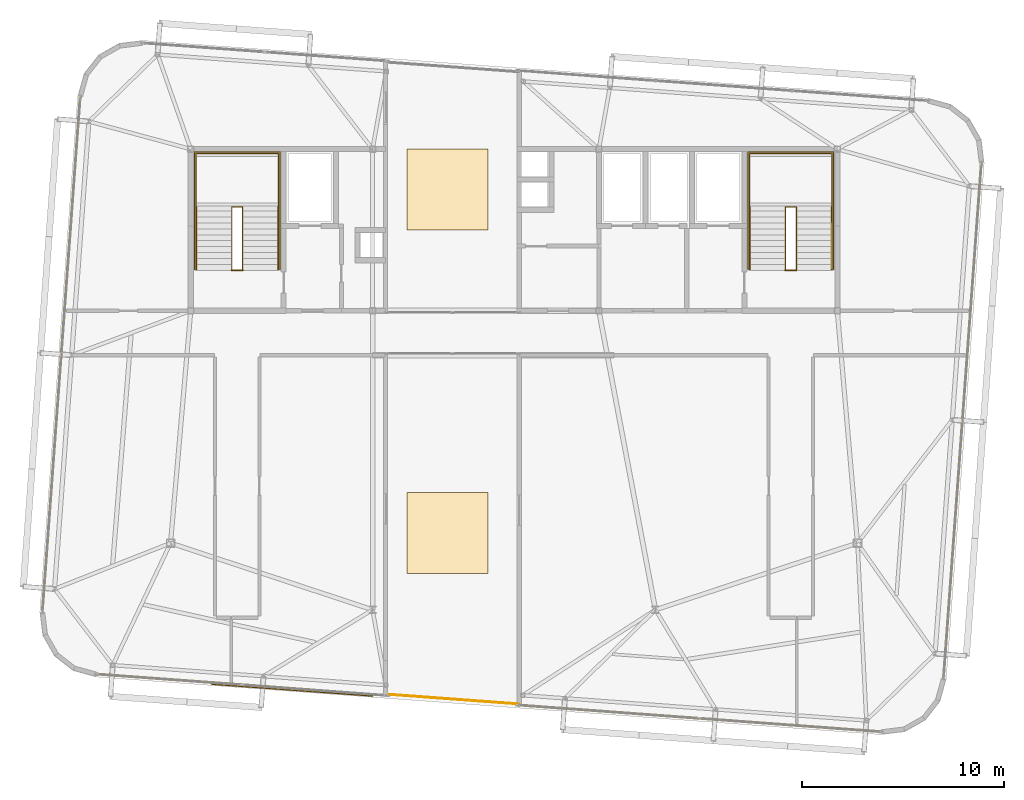
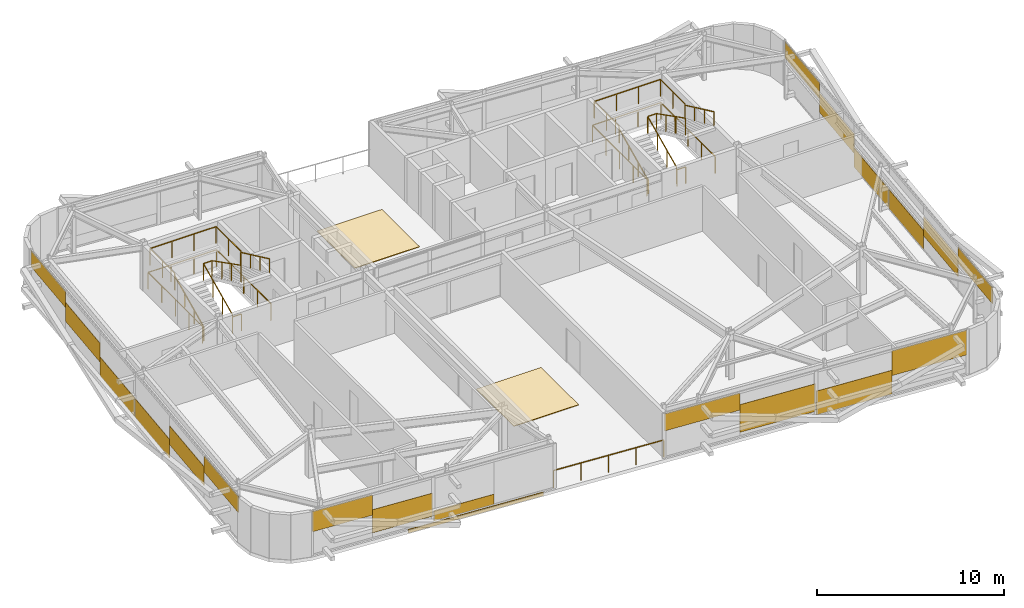
# One storey, part 35 of 36: 22 coverings, 13 railings.
"""IFC4 building model written with IfcOpenShell, lengths in metres."""

from ifc_helpers import new_model, si_unit, direction, frame, origin, origin_2d, place, context, subcontext, project, spatial, rectangle, extrude, source, transform, mapped, material, layer, layer_set, type_object, element, save


model = new_model("IFC4")

# Units and contexts
model_context = context("Model", 3, precision=1e-05, world=origin(), true_north=direction((0.0, 1.0)))
body_context = subcontext(model_context, "Body", "Model", "MODEL_VIEW")
ifc_project = project(units=[si_unit("LENGTHUNIT", "METRE"), si_unit("AREAUNIT", "SQUARE_METRE"), si_unit("VOLUMEUNIT", "CUBIC_METRE"), si_unit("PLANEANGLEUNIT", "RADIAN"), si_unit("MASSUNIT", "GRAM", prefix="KILO")], contexts=[model_context])

# Site, building, storey
site_placement = place(None, origin())
site = spatial("IfcSite", under=ifc_project, at=site_placement, CompositionType="ELEMENT")
building_placement = place(site_placement, origin())
building = spatial("IfcBuilding", under=site, at=building_placement, Name="Taldren Reach Tower", CompositionType="ELEMENT")
storey_placement = place(building_placement, frame((0.0, 0.0, 227.14990234375)))
storey = spatial("IfcBuildingStorey", under=building, at=storey_placement, Name="L69", CompositionType="ELEMENT", Elevation=227.14990234375)

# Railings
ifc_material_1 = material(Name="Steel Gr 350 (C350L0)", Category="steel")
ifc_layer_1 = layer(ifc_material_1, 0.050048828125)
ifc_layer_set_1 = layer_set([ifc_layer_1], Name="Steel Gr 350 (C350L0)")
railing_type_1 = type_object("IfcRailingType", Name="RL-STAIR-GR", PredefinedType="GUARDRAIL", material=ifc_layer_set_1)
railing_1_placement = place(storey_placement, frame((19.260009765625, 29.135009765625, 1.5751953125)))
element("IfcRailing", 1, at=railing_1_placement, inside=storey, type_object=railing_type_1, Name="Stair half-landing perimeter guard ST1-L69", PredefinedType="GUARDRAIL", context=body_context, shape_type="SweptSolid", body=[
    extrude(rectangle(XDim=0.047852, YDim=0.047852, at=origin_2d()), frame((0.0, 0.0, 1.09619140625), z_axis=(0.0, 1.0, 0.0), x_axis=(-1.0, 0.0, 0.0)), (0.0, 0.0, 1.0), 2.64501953125),
    extrude(rectangle(XDim=0.047852, YDim=0.047852, at=origin_2d()), frame((0.0, 2.64501953125, 1.09619140625), z_axis=(1.0, 0.0, 0.0), x_axis=(0.0, 1.0, 0.0)), (0.0, 0.0, 1.0), 4.080078125),
    extrude(rectangle(XDim=0.047852, YDim=0.047852, at=origin_2d()), frame((4.080078125, 2.64501953125, 1.09619140625), z_axis=(0.0, -1.0, 0.0), x_axis=(1.0, 0.0, 0.0)), (0.0, 0.0, 1.0), 2.64501953125),
    extrude(rectangle(XDim=0.041992, YDim=0.041992, at=origin_2d()), origin(), (0.0, 0.0, 1.0), 1.072021484375),
    extrude(rectangle(XDim=0.041992, YDim=0.041992, at=origin_2d()), frame((0.0, 1.322509765625, 0.0)), (0.0, 0.0, 1.0), 1.072021484375),
    extrude(rectangle(XDim=0.041992, YDim=0.041992, at=origin_2d()), frame((0.0, 2.64501953125, 0.0)), (0.0, 0.0, 1.0), 1.072021484375),
    extrude(rectangle(XDim=0.041992, YDim=0.041992, at=origin_2d()), frame((1.360107421875, 2.64501953125, 0.0)), (0.0, 0.0, 1.0), 1.072021484375),
    extrude(rectangle(XDim=0.041992, YDim=0.041992, at=origin_2d()), frame((2.719970703125, 2.64501953125, 0.0)), (0.0, 0.0, 1.0), 1.072021484375),
    extrude(rectangle(XDim=0.041992, YDim=0.041992, at=origin_2d()), frame((4.080078125, 2.64501953125, 0.0)), (0.0, 0.0, 1.0), 1.072021484375),
    extrude(rectangle(XDim=0.041992, YDim=0.041992, at=origin_2d()), frame((4.080078125, 1.322509765625, 0.0)), (0.0, 0.0, 1.0), 1.072021484375),
    extrude(rectangle(XDim=0.041992, YDim=0.041992, at=origin_2d()), frame((4.080078125, 0.0, 0.0)), (0.0, 0.0, 1.0), 1.072021484375),
])
railing_2_placement = place(storey_placement, frame((21.030029296875, 26.050048828125, 0.13134765625)))
element("IfcRailing", 2, at=railing_2_placement, inside=storey, type_object=railing_type_1, Name="Stairwell inner guard ST1-L69", PredefinedType="GUARDRAIL", context=body_context, shape_type="SweptSolid", body=[
    extrude(rectangle(XDim=0.047852, YDim=0.047852, at=origin_2d()), frame((0.0, 0.0, 1.09619140625), z_axis=(0.0, 0.905710134349, 0.423897573167), x_axis=(-1.0, 0.0, 0.0)), (0.0, 0.0, 1.0), 3.406005859375),
    extrude(rectangle(XDim=0.047852, YDim=0.047852, at=origin_2d()), frame((0.0, 3.0849609375, 2.5400390625), z_axis=(1.0, 0.0, 0.0), x_axis=(0.0, 1.0, 0.0)), (0.0, 0.0, 1.0), 0.5400390625),
    extrude(rectangle(XDim=0.047852, YDim=0.047852, at=origin_2d()), frame((0.5400390625, 3.0849609375, 2.5400390625), z_axis=(0.0, -0.890645957773, 0.45469745755), x_axis=(1.0, 0.0, 0.0)), (0.0, 0.0, 1.0), 3.463623046875),
    extrude(rectangle(XDim=0.041992, YDim=0.041992, at=origin_2d()), origin(), (0.0, 0.0, 1.0), 1.072021484375),
    extrude(rectangle(XDim=0.041992, YDim=0.041992, at=origin_2d()), frame((0.0, 1.0283203125, 0.481201171875)), (0.0, 0.0, 1.0), 1.072021484375),
    extrude(rectangle(XDim=0.041992, YDim=0.041992, at=origin_2d()), frame((0.0, 2.056640625, 0.962646484375)), (0.0, 0.0, 1.0), 1.072021484375),
    extrude(rectangle(XDim=0.041992, YDim=0.041992, at=origin_2d()), frame((0.0, 3.0849609375, 1.44384765625)), (0.0, 0.0, 1.0), 1.072021484375),
    extrude(rectangle(XDim=0.041992, YDim=0.041992, at=origin_2d()), frame((0.5400390625, 3.0849609375, 1.44384765625)), (0.0, 0.0, 1.0), 1.072021484375),
    extrude(rectangle(XDim=0.041992, YDim=0.041992, at=origin_2d()), frame((0.5400390625, 2.056640625, 1.96875)), (0.0, 0.0, 1.0), 1.072021484375),
    extrude(rectangle(XDim=0.041992, YDim=0.041992, at=origin_2d()), frame((0.5400390625, 1.0283203125, 2.493896484375)), (0.0, 0.0, 1.0), 1.072021484375),
    extrude(rectangle(XDim=0.041992, YDim=0.041992, at=origin_2d()), frame((0.5400390625, 0.0, 3.018798828125)), (0.0, 0.0, 1.0), 1.072021484375),
])
railing_3_placement = place(storey_placement, frame((21.030029296875, 26.010009765625, 0.0)))
element("IfcRailing", 3, at=railing_3_placement, inside=storey, type_object=railing_type_1, Name="Stairwell landing slot guard ST1-L69", PredefinedType="GUARDRAIL", context=body_context, shape_type="SweptSolid", body=[
    extrude(rectangle(XDim=0.047852, YDim=0.047852, at=origin_2d()), frame((0.0, 0.0, 1.09619140625), z_axis=(1.0, 0.0, 0.0), x_axis=(0.0, 1.0, 0.0)), (0.0, 0.0, 1.0), 0.5400390625),
    extrude(rectangle(XDim=0.041992, YDim=0.041992, at=origin_2d()), origin(), (0.0, 0.0, 1.0), 1.072021484375),
    extrude(rectangle(XDim=0.041992, YDim=0.041992, at=origin_2d()), frame((0.5400390625, 0.0, 0.0)), (0.0, 0.0, 1.0), 1.072021484375),
])
railing_4_placement = place(storey_placement, frame((19.18994140625, 26.050048828125, 0.0)))
element("IfcRailing", 4, at=railing_4_placement, inside=storey, type_object=railing_type_1, Name="Stairwell floor opening guard ST1-L69", PredefinedType="GUARDRAIL", context=body_context, shape_type="SweptSolid", body=[
    extrude(rectangle(XDim=0.047852, YDim=0.047852, at=origin_2d()), frame((0.0, 0.0, 1.09619140625), z_axis=(0.0, 1.0, 0.0), x_axis=(-1.0, 0.0, 0.0)), (0.0, 0.0, 1.0), 5.800048828125),
    extrude(rectangle(XDim=0.047852, YDim=0.047852, at=origin_2d()), frame((0.0, 5.800048828125, 1.09619140625), z_axis=(1.0, 0.0, 0.0), x_axis=(0.0, 1.0, 0.0)), (0.0, 0.0, 1.0), 4.219970703125),
    extrude(rectangle(XDim=0.047852, YDim=0.047852, at=origin_2d()), frame((4.219970703125, 5.800048828125, 1.09619140625), z_axis=(0.0, -1.0, 0.0), x_axis=(1.0, 0.0, 0.0)), (0.0, 0.0, 1.0), 5.800048828125),
    extrude(rectangle(XDim=0.041992, YDim=0.041992, at=origin_2d()), origin(), (0.0, 0.0, 1.0), 1.072021484375),
    extrude(rectangle(XDim=0.041992, YDim=0.041992, at=origin_2d()), frame((0.0, 1.449951171875, 0.0)), (0.0, 0.0, 1.0), 1.072021484375),
    extrude(rectangle(XDim=0.041992, YDim=0.041992, at=origin_2d()), frame((0.0, 2.89990234375, 0.0)), (0.0, 0.0, 1.0), 1.072021484375),
    extrude(rectangle(XDim=0.041992, YDim=0.041992, at=origin_2d()), frame((0.0, 4.35009765625, 0.0)), (0.0, 0.0, 1.0), 1.072021484375),
    extrude(rectangle(XDim=0.041992, YDim=0.041992, at=origin_2d()), frame((0.0, 5.800048828125, 0.0)), (0.0, 0.0, 1.0), 1.072021484375),
    extrude(rectangle(XDim=0.041992, YDim=0.041992, at=origin_2d()), frame((1.40673828125, 5.800048828125, 0.0)), (0.0, 0.0, 1.0), 1.072021484375),
    extrude(rectangle(XDim=0.041992, YDim=0.041992, at=origin_2d()), frame((2.813232421875, 5.800048828125, 0.0)), (0.0, 0.0, 1.0), 1.072021484375),
    extrude(rectangle(XDim=0.041992, YDim=0.041992, at=origin_2d()), frame((4.219970703125, 5.800048828125, 0.0)), (0.0, 0.0, 1.0), 1.072021484375),
    extrude(rectangle(XDim=0.041992, YDim=0.041992, at=origin_2d()), frame((4.219970703125, 4.35009765625, 0.0)), (0.0, 0.0, 1.0), 1.072021484375),
    extrude(rectangle(XDim=0.041992, YDim=0.041992, at=origin_2d()), frame((4.219970703125, 2.89990234375, 0.0)), (0.0, 0.0, 1.0), 1.072021484375),
    extrude(rectangle(XDim=0.041992, YDim=0.041992, at=origin_2d()), frame((4.219970703125, 1.449951171875, 0.0)), (0.0, 0.0, 1.0), 1.072021484375),
    extrude(rectangle(XDim=0.041992, YDim=0.041992, at=origin_2d()), frame((4.219970703125, 0.0, 0.0)), (0.0, 0.0, 1.0), 1.072021484375),
])
railing_5_placement = place(storey_placement, frame((46.659912109375, 29.135009765625, 1.5751953125)))
element("IfcRailing", 5, at=railing_5_placement, inside=storey, type_object=railing_type_1, Name="Stair half-landing perimeter guard ST2-L69", PredefinedType="GUARDRAIL", context=body_context, shape_type="SweptSolid", body=[
    extrude(rectangle(XDim=0.047852, YDim=0.047852, at=origin_2d()), frame((0.0, 0.0, 1.09619140625), z_axis=(0.0, 1.0, 0.0), x_axis=(-1.0, 0.0, 0.0)), (0.0, 0.0, 1.0), 2.64501953125),
    extrude(rectangle(XDim=0.047852, YDim=0.047852, at=origin_2d()), frame((0.0, 2.64501953125, 1.09619140625), z_axis=(1.0, 0.0, 0.0), x_axis=(0.0, 1.0, 0.0)), (0.0, 0.0, 1.0), 4.080078125),
    extrude(rectangle(XDim=0.047852, YDim=0.047852, at=origin_2d()), frame((4.080078125, 2.64501953125, 1.09619140625), z_axis=(0.0, -1.0, 0.0), x_axis=(1.0, 0.0, 0.0)), (0.0, 0.0, 1.0), 2.64501953125),
    extrude(rectangle(XDim=0.041992, YDim=0.041992, at=origin_2d()), origin(), (0.0, 0.0, 1.0), 1.072021484375),
    extrude(rectangle(XDim=0.041992, YDim=0.041992, at=origin_2d()), frame((0.0, 1.322509765625, 0.0)), (0.0, 0.0, 1.0), 1.072021484375),
    extrude(rectangle(XDim=0.041992, YDim=0.041992, at=origin_2d()), frame((0.0, 2.64501953125, 0.0)), (0.0, 0.0, 1.0), 1.072021484375),
    extrude(rectangle(XDim=0.041992, YDim=0.041992, at=origin_2d()), frame((1.360107421875, 2.64501953125, 0.0)), (0.0, 0.0, 1.0), 1.072021484375),
    extrude(rectangle(XDim=0.041992, YDim=0.041992, at=origin_2d()), frame((2.719970703125, 2.64501953125, 0.0)), (0.0, 0.0, 1.0), 1.072021484375),
    extrude(rectangle(XDim=0.041992, YDim=0.041992, at=origin_2d()), frame((4.080078125, 2.64501953125, 0.0)), (0.0, 0.0, 1.0), 1.072021484375),
    extrude(rectangle(XDim=0.041992, YDim=0.041992, at=origin_2d()), frame((4.080078125, 1.322509765625, 0.0)), (0.0, 0.0, 1.0), 1.072021484375),
    extrude(rectangle(XDim=0.041992, YDim=0.041992, at=origin_2d()), frame((4.080078125, 0.0, 0.0)), (0.0, 0.0, 1.0), 1.072021484375),
])
railing_6_placement = place(storey_placement, frame((48.429931640625, 26.050048828125, 0.13134765625)))
element("IfcRailing", 6, at=railing_6_placement, inside=storey, type_object=railing_type_1, Name="Stairwell inner guard ST2-L69", PredefinedType="GUARDRAIL", context=body_context, shape_type="SweptSolid", body=[
    extrude(rectangle(XDim=0.047852, YDim=0.047852, at=origin_2d()), frame((0.0, 0.0, 1.09619140625), z_axis=(0.0, 0.905710134349, 0.423897573167), x_axis=(-1.0, 0.0, 0.0)), (0.0, 0.0, 1.0), 3.406005859375),
    extrude(rectangle(XDim=0.047852, YDim=0.047852, at=origin_2d()), frame((0.0, 3.0849609375, 2.5400390625), z_axis=(1.0, 0.0, 0.0), x_axis=(0.0, 1.0, 0.0)), (0.0, 0.0, 1.0), 0.5400390625),
    extrude(rectangle(XDim=0.047852, YDim=0.047852, at=origin_2d()), frame((0.5400390625, 3.0849609375, 2.5400390625), z_axis=(0.0, -0.890645957773, 0.45469745755), x_axis=(1.0, 0.0, 0.0)), (0.0, 0.0, 1.0), 3.463623046875),
    extrude(rectangle(XDim=0.041992, YDim=0.041992, at=origin_2d()), origin(), (0.0, 0.0, 1.0), 1.072021484375),
    extrude(rectangle(XDim=0.041992, YDim=0.041992, at=origin_2d()), frame((0.0, 1.0283203125, 0.481201171875)), (0.0, 0.0, 1.0), 1.072021484375),
    extrude(rectangle(XDim=0.041992, YDim=0.041992, at=origin_2d()), frame((0.0, 2.056640625, 0.962646484375)), (0.0, 0.0, 1.0), 1.072021484375),
    extrude(rectangle(XDim=0.041992, YDim=0.041992, at=origin_2d()), frame((0.0, 3.0849609375, 1.44384765625)), (0.0, 0.0, 1.0), 1.072021484375),
    extrude(rectangle(XDim=0.041992, YDim=0.041992, at=origin_2d()), frame((0.5400390625, 3.0849609375, 1.44384765625)), (0.0, 0.0, 1.0), 1.072021484375),
    extrude(rectangle(XDim=0.041992, YDim=0.041992, at=origin_2d()), frame((0.5400390625, 2.056640625, 1.96875)), (0.0, 0.0, 1.0), 1.072021484375),
    extrude(rectangle(XDim=0.041992, YDim=0.041992, at=origin_2d()), frame((0.5400390625, 1.0283203125, 2.493896484375)), (0.0, 0.0, 1.0), 1.072021484375),
    extrude(rectangle(XDim=0.041992, YDim=0.041992, at=origin_2d()), frame((0.5400390625, 0.0, 3.018798828125)), (0.0, 0.0, 1.0), 1.072021484375),
])
railing_7_placement = place(storey_placement, frame((48.429931640625, 26.010009765625, 0.0)))
element("IfcRailing", 7, at=railing_7_placement, inside=storey, type_object=railing_type_1, Name="Stairwell landing slot guard ST2-L69", PredefinedType="GUARDRAIL", context=body_context, shape_type="SweptSolid", body=[
    extrude(rectangle(XDim=0.047852, YDim=0.047852, at=origin_2d()), frame((0.0, 0.0, 1.09619140625), z_axis=(1.0, 0.0, 0.0), x_axis=(0.0, 1.0, 0.0)), (0.0, 0.0, 1.0), 0.5400390625),
    extrude(rectangle(XDim=0.041992, YDim=0.041992, at=origin_2d()), origin(), (0.0, 0.0, 1.0), 1.072021484375),
    extrude(rectangle(XDim=0.041992, YDim=0.041992, at=origin_2d()), frame((0.5400390625, 0.0, 0.0)), (0.0, 0.0, 1.0), 1.072021484375),
])
railing_8_placement = place(storey_placement, frame((46.590087890625, 26.050048828125, 0.0)))
element("IfcRailing", 8, at=railing_8_placement, inside=storey, type_object=railing_type_1, Name="Stairwell floor opening guard ST2-L69", PredefinedType="GUARDRAIL", context=body_context, shape_type="SweptSolid", body=[
    extrude(rectangle(XDim=0.047852, YDim=0.047852, at=origin_2d()), frame((0.0, 0.0, 1.09619140625), z_axis=(0.0, 1.0, 0.0), x_axis=(-1.0, 0.0, 0.0)), (0.0, 0.0, 1.0), 5.800048828125),
    extrude(rectangle(XDim=0.047852, YDim=0.047852, at=origin_2d()), frame((0.0, 5.800048828125, 1.09619140625), z_axis=(1.0, 0.0, 0.0), x_axis=(0.0, 1.0, 0.0)), (0.0, 0.0, 1.0), 4.219970703125),
    extrude(rectangle(XDim=0.047852, YDim=0.047852, at=origin_2d()), frame((4.219970703125, 5.800048828125, 1.09619140625), z_axis=(0.0, -1.0, 0.0), x_axis=(1.0, 0.0, 0.0)), (0.0, 0.0, 1.0), 5.800048828125),
    extrude(rectangle(XDim=0.041992, YDim=0.041992, at=origin_2d()), origin(), (0.0, 0.0, 1.0), 1.072021484375),
    extrude(rectangle(XDim=0.041992, YDim=0.041992, at=origin_2d()), frame((0.0, 1.449951171875, 0.0)), (0.0, 0.0, 1.0), 1.072021484375),
    extrude(rectangle(XDim=0.041992, YDim=0.041992, at=origin_2d()), frame((0.0, 2.89990234375, 0.0)), (0.0, 0.0, 1.0), 1.072021484375),
    extrude(rectangle(XDim=0.041992, YDim=0.041992, at=origin_2d()), frame((0.0, 4.35009765625, 0.0)), (0.0, 0.0, 1.0), 1.072021484375),
    extrude(rectangle(XDim=0.041992, YDim=0.041992, at=origin_2d()), frame((0.0, 5.800048828125, 0.0)), (0.0, 0.0, 1.0), 1.072021484375),
    extrude(rectangle(XDim=0.041992, YDim=0.041992, at=origin_2d()), frame((1.40673828125, 5.800048828125, 0.0)), (0.0, 0.0, 1.0), 1.072021484375),
    extrude(rectangle(XDim=0.041992, YDim=0.041992, at=origin_2d()), frame((2.813232421875, 5.800048828125, 0.0)), (0.0, 0.0, 1.0), 1.072021484375),
    extrude(rectangle(XDim=0.041992, YDim=0.041992, at=origin_2d()), frame((4.219970703125, 5.800048828125, 0.0)), (0.0, 0.0, 1.0), 1.072021484375),
    extrude(rectangle(XDim=0.041992, YDim=0.041992, at=origin_2d()), frame((4.219970703125, 4.35009765625, 0.0)), (0.0, 0.0, 1.0), 1.072021484375),
    extrude(rectangle(XDim=0.041992, YDim=0.041992, at=origin_2d()), frame((4.219970703125, 2.89990234375, 0.0)), (0.0, 0.0, 1.0), 1.072021484375),
    extrude(rectangle(XDim=0.041992, YDim=0.041992, at=origin_2d()), frame((4.219970703125, 1.449951171875, 0.0)), (0.0, 0.0, 1.0), 1.072021484375),
    extrude(rectangle(XDim=0.041992, YDim=0.041992, at=origin_2d()), frame((4.219970703125, 0.0, 0.0)), (0.0, 0.0, 1.0), 1.072021484375),
])
ifc_material_2 = material(Name="Stainless Steel Gr 316", Category="steel")
ifc_layer_2 = layer(ifc_material_2, 0.048095703125)
ifc_layer_set_2 = layer_set([ifc_layer_2], Name="Stainless Steel Gr 316")
railing_type_2 = type_object("IfcRailingType", Name="RL-STAIR-HR", PredefinedType="HANDRAIL", material=ifc_layer_set_2)
railing_9_placement = place(storey_placement, frame((19.27001953125, 26.050048828125, 0.13134765625)))
element("IfcRailing", 9, at=railing_9_placement, inside=storey, type_object=railing_type_2, Name="Stair flight handrail ST1-L69-1", PredefinedType="HANDRAIL", context=body_context, shape_type="SweptSolid", body=[
    extrude(rectangle(XDim=0.047852, YDim=0.047852, at=origin_2d()), frame((0.0, 0.0, 0.89599609375), z_axis=(0.0, 0.905710134349, 0.423897573167), x_axis=(-1.0, 0.0, 0.0)), (0.0, 0.0, 1.0), 3.406005859375),
    extrude(rectangle(XDim=0.041992, YDim=0.041992, at=origin_2d()), origin(), (0.0, 0.0, 1.0), 0.871826171875),
    extrude(rectangle(XDim=0.041992, YDim=0.041992, at=origin_2d()), frame((0.0, 1.0283203125, 0.481201171875)), (0.0, 0.0, 1.0), 0.871826171875),
    extrude(rectangle(XDim=0.041992, YDim=0.041992, at=origin_2d()), frame((0.0, 2.056640625, 0.962646484375)), (0.0, 0.0, 1.0), 0.871826171875),
    extrude(rectangle(XDim=0.041992, YDim=0.041992, at=origin_2d()), frame((0.0, 3.0849609375, 1.44384765625)), (0.0, 0.0, 1.0), 0.871826171875),
])
railing_10_placement = place(storey_placement, frame((23.330078125, 29.135009765625, 1.706298828125)))
element("IfcRailing", 10, at=railing_10_placement, inside=storey, type_object=railing_type_2, Name="Stair flight handrail ST1-L69-2", PredefinedType="HANDRAIL", context=body_context, shape_type="SweptSolid", body=[
    extrude(rectangle(XDim=0.047852, YDim=0.047852, at=origin_2d()), frame((0.0, 0.0, 0.89599609375), z_axis=(0.0, -0.905710134349, 0.423897573167), x_axis=(1.0, 0.0, 0.0)), (0.0, 0.0, 1.0), 3.406005859375),
    extrude(rectangle(XDim=0.041992, YDim=0.041992, at=origin_2d()), origin(), (0.0, 0.0, 1.0), 0.871826171875),
    extrude(rectangle(XDim=0.041992, YDim=0.041992, at=origin_2d()), frame((0.0, -1.0283203125, 0.481201171875)), (0.0, 0.0, 1.0), 0.871826171875),
    extrude(rectangle(XDim=0.041992, YDim=0.041992, at=origin_2d()), frame((0.0, -2.056640625, 0.962646484375)), (0.0, 0.0, 1.0), 0.871826171875),
    extrude(rectangle(XDim=0.041992, YDim=0.041992, at=origin_2d()), frame((0.0, -3.0849609375, 1.44384765625)), (0.0, 0.0, 1.0), 0.871826171875),
])
railing_11_placement = place(storey_placement, frame((46.669921875, 26.050048828125, 0.13134765625)))
element("IfcRailing", 11, at=railing_11_placement, inside=storey, type_object=railing_type_2, Name="Stair flight handrail ST2-L69-1", PredefinedType="HANDRAIL", context=body_context, shape_type="SweptSolid", body=[
    extrude(rectangle(XDim=0.047852, YDim=0.047852, at=origin_2d()), frame((0.0, 0.0, 0.89599609375), z_axis=(0.0, 0.905710134349, 0.423897573167), x_axis=(-1.0, 0.0, 0.0)), (0.0, 0.0, 1.0), 3.406005859375),
    extrude(rectangle(XDim=0.041992, YDim=0.041992, at=origin_2d()), origin(), (0.0, 0.0, 1.0), 0.871826171875),
    extrude(rectangle(XDim=0.041992, YDim=0.041992, at=origin_2d()), frame((0.0, 1.0283203125, 0.481201171875)), (0.0, 0.0, 1.0), 0.871826171875),
    extrude(rectangle(XDim=0.041992, YDim=0.041992, at=origin_2d()), frame((0.0, 2.056640625, 0.962646484375)), (0.0, 0.0, 1.0), 0.871826171875),
    extrude(rectangle(XDim=0.041992, YDim=0.041992, at=origin_2d()), frame((0.0, 3.0849609375, 1.44384765625)), (0.0, 0.0, 1.0), 0.871826171875),
])
railing_12_placement = place(storey_placement, frame((50.72998046875, 29.135009765625, 1.706298828125)))
element("IfcRailing", 12, at=railing_12_placement, inside=storey, type_object=railing_type_2, Name="Stair flight handrail ST2-L69-2", PredefinedType="HANDRAIL", context=body_context, shape_type="SweptSolid", body=[
    extrude(rectangle(XDim=0.047852, YDim=0.047852, at=origin_2d()), frame((0.0, 0.0, 0.89599609375), z_axis=(0.0, -0.905710134349, 0.423897573167), x_axis=(1.0, 0.0, 0.0)), (0.0, 0.0, 1.0), 3.406005859375),
    extrude(rectangle(XDim=0.041992, YDim=0.041992, at=origin_2d()), origin(), (0.0, 0.0, 1.0), 0.871826171875),
    extrude(rectangle(XDim=0.041992, YDim=0.041992, at=origin_2d()), frame((0.0, -1.0283203125, 0.481201171875)), (0.0, 0.0, 1.0), 0.871826171875),
    extrude(rectangle(XDim=0.041992, YDim=0.041992, at=origin_2d()), frame((0.0, -2.056640625, 0.962646484375)), (0.0, 0.0, 1.0), 0.871826171875),
    extrude(rectangle(XDim=0.041992, YDim=0.041992, at=origin_2d()), frame((0.0, -3.0849609375, 1.44384765625)), (0.0, 0.0, 1.0), 0.871826171875),
])
ifc_material_3 = material(Name="Laminated Glass and Pale-Anodised Aluminium Balustrade", Category="aluminium")
ifc_layer_3 = layer(ifc_material_3, 0.070068359375)
ifc_layer_set_3 = layer_set([ifc_layer_3], Name="Laminated Glass and Pale-Anodised Aluminium Balustrade")
railing_type_3 = type_object("IfcRailingType", Name="RL-TERR-1150", PredefinedType="GUARDRAIL", material=ifc_layer_set_3)
railing_13_placement = place(storey_placement, frame((28.694580078125, 5.013671875, 0.0)))
element("IfcRailing", 13, at=railing_13_placement, inside=storey, type_object=railing_type_3, Name="Wind portal belvedere south guardrail L69", PredefinedType="GUARDRAIL", context=body_context, shape_type="SweptSolid", body=[
    extrude(rectangle(XDim=0.047852, YDim=0.047852, at=origin_2d()), frame((0.0, 0.0, 1.1259765625), z_axis=(0.997314529539, -0.073237484737, 0.0), x_axis=(0.073237484737, 0.997314529539, 0.0)), (0.0, 0.0, 1.0), 6.537109375),
    extrude(rectangle(XDim=0.041992, YDim=0.041992, at=origin_2d()), origin(), (0.0, 0.0, 1.0), 1.101806640625),
    extrude(rectangle(XDim=0.041992, YDim=0.041992, at=origin_2d()), frame((1.6298828125, -0.11962890625, 0.0)), (0.0, 0.0, 1.0), 1.101806640625),
    extrude(rectangle(XDim=0.041992, YDim=0.041992, at=origin_2d()), frame((3.259765625, -0.2392578125, 0.0)), (0.0, 0.0, 1.0), 1.101806640625),
    extrude(rectangle(XDim=0.041992, YDim=0.041992, at=origin_2d()), frame((4.8896484375, -0.359130859375, 0.0)), (0.0, 0.0, 1.0), 1.101806640625),
    extrude(rectangle(XDim=0.041992, YDim=0.041992, at=origin_2d()), frame((6.51953125, -0.478759765625, 0.0)), (0.0, 0.0, 1.0), 1.101806640625),
])

# Coverings
ifc_material_4 = material(Name="Pale Champagne Fluoropolymer Aluminium Spandrel Cladding", Category="aluminium")
ifc_layer_4 = layer(ifc_material_4, 0.06005859375)
ifc_layer_set_4 = layer_set([ifc_layer_4], Name="Pale Champagne Fluoropolymer Aluminium Spandrel Cladding")
covering_type_1 = type_object("IfcCoveringType", Name="CV-CLAD-060", PredefinedType="CLADDING", material=ifc_layer_set_4)
shared_shape_1 = source(origin(), body_context, "Body", "SweptSolid", [
    extrude(rectangle(XDim=8.0, YDim=0.06005859375, at=origin_2d()), origin(), (0.0, 0.0, 1.0), 0.219970703125),
])
covering_1_placement = place(storey_placement, frame((24.02490234375, 5.236328125, -0.2197265625), z_axis=(0.0, 0.0, 1.0), x_axis=(0.997314477224, -0.073238197128, 0.0)))
element("IfcCovering", 14, at=covering_1_placement, inside=storey, type_object=covering_type_1, Name="Pale-metal architectural fascia band L69", PredefinedType="CLADDING", context=body_context, shape_type="MappedRepresentation", body=[
    mapped(shared_shape_1, transform((0.0, 0.0, 0.0), scale=1.0)),
])
ifc_material_5 = material(Name="SBS Modified Bitumen Waterproofing and Ballast Membrane")
ifc_layer_5 = layer(ifc_material_5, 0.080078125)
ifc_layer_set_5 = layer_set([ifc_layer_5], Name="SBS Modified Bitumen Waterproofing and Ballast Membrane")
covering_type_2 = type_object("IfcCoveringType", Name="CV-ROOF-080", PredefinedType="ROOFING", material=ifc_layer_set_5)
shared_shape_2 = source(origin(), body_context, "Body", "SweptSolid", [
    extrude(rectangle(XDim=4.0, YDim=4.0, at=origin_2d()), origin(), (0.0, 0.0, 1.0), 0.0400390625),
])
for number, where, z_axis, x_axis, name in (
    (15, (31.699951171875, 13.0, 0.0), (0.0, 0.0, 1.0), (1.0, 0.0, 0.0), "Wind portal belvedere waterproofing membrane S L69"),
    (16, (31.699951171875, 30.0, 0.0), (0.0, 0.0, 1.0), (1.0, 0.0, 0.0), "Wind portal belvedere waterproofing membrane N L69"),
):
    element("IfcCovering", number, at=place(storey_placement, frame(where, z_axis=z_axis, x_axis=x_axis)), inside=storey, type_object=covering_type_2, Name=name, PredefinedType="ROOFING", context=body_context, shape_type="MappedRepresentation", body=[
        mapped(shared_shape_2, transform((0.0, 0.0, 0.0), scale=1.0)),
    ])
ifc_layer_6 = layer(ifc_material_4, 0.0439453125)
ifc_layer_set_6 = layer_set([ifc_layer_6], Name="Pale Champagne Fluoropolymer Aluminium Spandrel Cladding")
covering_type_3 = type_object("IfcCoveringType", Name="CV-CLAD-044", PredefinedType="CLADDING", material=ifc_layer_set_6)
shared_shape_3 = source(origin(), body_context, "Body", "SweptSolid", [
    extrude(rectangle(XDim=4.229248046875, YDim=0.0439453125, at=origin_2d()), origin(), (0.0, 0.0, 1.0), 1.22802734375),
])
for number, where, z_axis, x_axis, name in (
    (17, (13.0673828125, 28.20166015625, 0.94287109375), (0.0, 0.0, 1.0), (-0.073238282558, -0.997314470951, 0.0), "Diagrid closure cladding strip CW-7 panel 1.1 2"),
    (18, (12.1328125, 15.473388671875, 0.94287109375), (0.0, 0.0, 1.0), (-0.073238282558, -0.997314470951, 0.0), "Diagrid closure cladding strip CW-7 panel 2.1 2"),
    (19, (56.732666015625, 12.1982421875, 0.94287109375), (0.0, 0.0, 1.0), (0.073238282558, 0.997314470951, 0.0), "Diagrid closure cladding strip CW-7 panel 1.1 2"),
    (20, (57.667236328125, 24.926513671875, 0.94287109375), (0.0, 0.0, 1.0), (0.073238282558, 0.997314470951, 0.0), "Diagrid closure cladding strip CW-7 panel 2.1 2"),
):
    element("IfcCovering", number, at=place(storey_placement, frame(where, z_axis=z_axis, x_axis=x_axis)), inside=storey, type_object=covering_type_3, Name=name, PredefinedType="CLADDING", context=body_context, shape_type="MappedRepresentation", body=[
        mapped(shared_shape_3, transform((0.0, 0.0, 0.0), scale=1.0)),
    ])
shared_shape_4 = source(origin(), body_context, "Body", "SweptSolid", [
    extrude(rectangle(XDim=3.564697265625, YDim=0.0439453125, at=origin_2d()), origin(), (0.0, 0.0, 1.0), 1.318359375),
])
covering_2_placement = place(storey_placement, frame((16.15771484375, 5.874267578125, 1.5517578125), z_axis=(0.0, 0.0, 1.0), x_axis=(0.997314480811, -0.073238148285, 0.0)))
element("IfcCovering", 21, at=covering_2_placement, inside=storey, type_object=covering_type_3, Name="Diagrid closure cladding strip CW-7 panel 1.1 1", PredefinedType="CLADDING", context=body_context, shape_type="MappedRepresentation", body=[
    mapped(shared_shape_4, transform((0.0, 0.0, 0.0), scale=1.0)),
])
shared_shape_5 = source(origin(), body_context, "Body", "SweptSolid", [
    extrude(rectangle(XDim=3.564697265625, YDim=0.0439453125, at=origin_2d()), origin(), (0.0, 0.0, 1.0), 1.509765625),
])
covering_3_placement = place(storey_placement, frame((19.712890625, 5.613037109375, 0.393798828125), z_axis=(0.0, 0.0, 1.0), x_axis=(0.997314480811, -0.073238148285, 0.0)))
element("IfcCovering", 22, at=covering_3_placement, inside=storey, type_object=covering_type_3, Name="Diagrid closure cladding strip CW-7 panel 1.1 2", PredefinedType="CLADDING", context=body_context, shape_type="MappedRepresentation", body=[
    mapped(shared_shape_5, transform((0.0, 0.0, 0.0), scale=1.0)),
])
shared_shape_6 = source(origin(), body_context, "Body", "SweptSolid", [
    extrude(rectangle(XDim=3.564697265625, YDim=0.0439453125, at=origin_2d()), origin(), (0.0, 0.0, 1.0), 0.660888671875),
])
covering_4_placement = place(storey_placement, frame((23.342529296875, 5.346435546875, 0.06005859375), z_axis=(0.0, 0.0, 1.0), x_axis=(0.997314480811, -0.073238148285, 0.0)))
element("IfcCovering", 23, at=covering_4_placement, inside=storey, type_object=covering_type_3, Name="Diagrid closure cladding strip CW-7 panel 2.1 1", PredefinedType="CLADDING", context=body_context, shape_type="MappedRepresentation", body=[
    mapped(shared_shape_6, transform((0.0, 0.0, 0.0), scale=1.0)),
])
shared_shape_7 = source(origin(), body_context, "Body", "SweptSolid", [
    extrude(rectangle(XDim=4.468505859375, YDim=0.0439453125, at=origin_2d()), origin(), (0.0, 0.0, 1.0), 1.112060546875),
])
covering_5_placement = place(storey_placement, frame((37.453125, 4.310302734375, 1.75830078125), z_axis=(0.0, 0.0, 1.0), x_axis=(0.997314485363, -0.073238086301, 0.0)))
element("IfcCovering", 24, at=covering_5_placement, inside=storey, type_object=covering_type_3, Name="Diagrid closure cladding strip CW-7 panel 1.1 1", PredefinedType="CLADDING", context=body_context, shape_type="MappedRepresentation", body=[
    mapped(shared_shape_7, transform((0.0, 0.0, 0.0), scale=1.0)),
])
shared_shape_8 = source(origin(), body_context, "Body", "SweptSolid", [
    extrude(rectangle(XDim=4.468505859375, YDim=0.0439453125, at=origin_2d()), origin(), (0.0, 0.0, 1.0), 1.803466796875),
])
covering_6_placement = place(storey_placement, frame((41.90966796875, 3.983154296875, 0.306640625), z_axis=(0.0, 0.0, 1.0), x_axis=(0.997314485363, -0.073238086301, 0.0)))
element("IfcCovering", 25, at=covering_6_placement, inside=storey, type_object=covering_type_3, Name="Diagrid closure cladding strip CW-7 panel 1.1 2", PredefinedType="CLADDING", context=body_context, shape_type="MappedRepresentation", body=[
    mapped(shared_shape_8, transform((0.0, 0.0, 0.0), scale=1.0)),
])
shared_shape_9 = source(origin(), body_context, "Body", "SweptSolid", [
    extrude(rectangle(XDim=4.468505859375, YDim=0.0439453125, at=origin_2d()), origin(), (0.0, 0.0, 1.0), 1.5498046875),
])
covering_7_placement = place(storey_placement, frame((46.441162109375, 3.650390625, 0.06005859375), z_axis=(0.0, 0.0, 1.0), x_axis=(0.997314485363, -0.073238086301, 0.0)))
element("IfcCovering", 26, at=covering_7_placement, inside=storey, type_object=covering_type_3, Name="Diagrid closure cladding strip CW-7 panel 2.1 1", PredefinedType="CLADDING", context=body_context, shape_type="MappedRepresentation", body=[
    mapped(shared_shape_9, transform((0.0, 0.0, 0.0), scale=1.0)),
])
shared_shape_10 = source(origin(), body_context, "Body", "SweptSolid", [
    extrude(rectangle(XDim=4.468505859375, YDim=0.0439453125, at=origin_2d()), origin(), (0.0, 0.0, 1.0), 1.612060546875),
])
covering_8_placement = place(storey_placement, frame((50.897705078125, 3.322998046875, 1.2578125), z_axis=(0.0, 0.0, 1.0), x_axis=(0.997314485363, -0.073238086301, 0.0)))
element("IfcCovering", 27, at=covering_8_placement, inside=storey, type_object=covering_type_3, Name="Diagrid closure cladding strip CW-7 panel 2.1 2", PredefinedType="CLADDING", context=body_context, shape_type="MappedRepresentation", body=[
    mapped(shared_shape_10, transform((0.0, 0.0, 0.0), scale=1.0)),
])
shared_shape_11 = source(origin(), body_context, "Body", "SweptSolid", [
    extrude(rectangle(XDim=4.229248046875, YDim=0.0439453125, at=origin_2d()), origin(), (0.0, 0.0, 1.0), 1.041259765625),
])
for number, where, z_axis, x_axis, name in (
    (28, (13.377197265625, 32.41943359375, 1.82861328125), (0.0, 0.0, 1.0), (-0.073238282558, -0.997314470951, 0.0), "Diagrid closure cladding strip CW-7 panel 1.1 1"),
    (29, (11.822998046875, 11.255615234375, 1.82861328125), (0.0, 0.0, 1.0), (-0.073238282558, -0.997314470951, 0.0), "Diagrid closure cladding strip CW-7 panel 2.1 3"),
    (30, (56.4228515625, 7.98046875, 1.82861328125), (0.0, 0.0, 1.0), (0.073238282558, 0.997314470951, 0.0), "Diagrid closure cladding strip CW-7 panel 1.1 1"),
    (31, (57.97705078125, 29.144287109375, 1.82861328125), (0.0, 0.0, 1.0), (0.073238282558, 0.997314470951, 0.0), "Diagrid closure cladding strip CW-7 panel 2.1 3"),
):
    element("IfcCovering", number, at=place(storey_placement, frame(where, z_axis=z_axis, x_axis=x_axis)), inside=storey, type_object=covering_type_3, Name=name, PredefinedType="CLADDING", context=body_context, shape_type="MappedRepresentation", body=[
        mapped(shared_shape_11, transform((0.0, 0.0, 0.0), scale=1.0)),
    ])
shared_shape_12 = source(origin(), body_context, "Body", "SweptSolid", [
    extrude(rectangle(XDim=4.229248046875, YDim=0.0439453125, at=origin_2d()), origin(), (0.0, 0.0, 1.0), 1.224853515625),
])
for number, where, z_axis, x_axis, name in (
    (32, (12.757568359375, 23.98388671875, 0.06005859375), (0.0, 0.0, 1.0), (-0.073238282558, -0.997314470951, 0.0), "Diagrid closure cladding strip CW-7 panel 1.1 3"),
    (33, (12.4423828125, 19.69140625, 0.06005859375), (0.0, 0.0, 1.0), (-0.073238282558, -0.997314470951, 0.0), "Diagrid closure cladding strip CW-7 panel 2.1 1"),
    (34, (57.042236328125, 16.416015625, 0.06005859375), (0.0, 0.0, 1.0), (0.073238282558, 0.997314470951, 0.0), "Diagrid closure cladding strip CW-7 panel 1.1 3"),
    (35, (57.357666015625, 20.708740234375, 0.06005859375), (0.0, 0.0, 1.0), (0.073238282558, 0.997314470951, 0.0), "Diagrid closure cladding strip CW-7 panel 2.1 1"),
):
    element("IfcCovering", number, at=place(storey_placement, frame(where, z_axis=z_axis, x_axis=x_axis)), inside=storey, type_object=covering_type_3, Name=name, PredefinedType="CLADDING", context=body_context, shape_type="MappedRepresentation", body=[
        mapped(shared_shape_12, transform((0.0, 0.0, 0.0), scale=1.0)),
    ])

save(model, "model.ifc")
